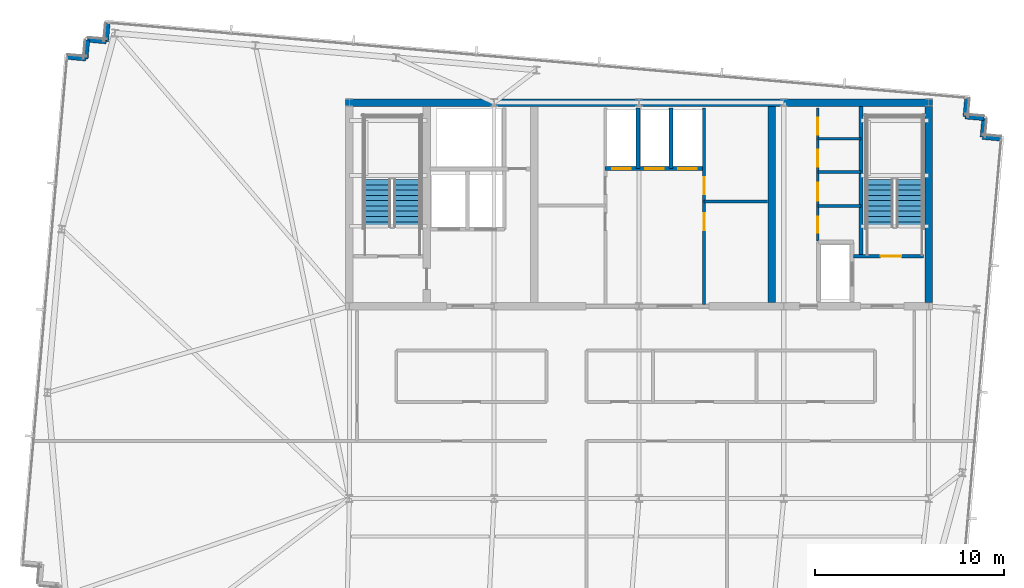
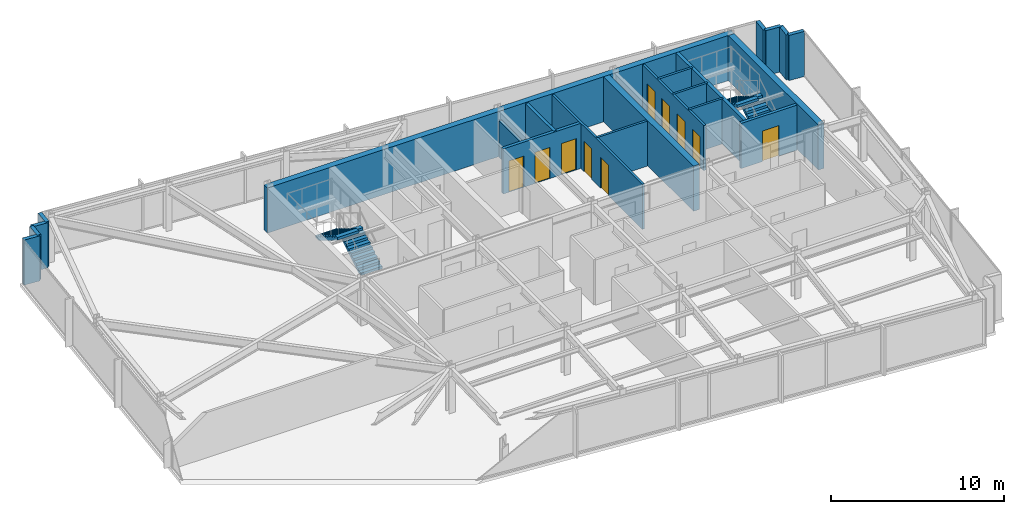
# One storey, part 28 of 32: 22 walls, 10 doors, 4 stair flights, 10 openings, 2 elements without a shape of their own.
"""IFC4 building model written with IfcOpenShell, lengths in metres."""

from ifc_helpers import new_model, si_unit, direction, frame, frame_2d, origin, place, context, subcontext, project, spatial, polyline, rectangle, outline, extrude, material, layer, layer_set, type_object, element, fill, aggregate, save


model = new_model("IFC4")

# Units and contexts
model_context = context("Model", 3, precision=1e-05, world=origin(), true_north=direction((0.0, 1.0)))
body_context = subcontext(model_context, "Body", "Model", "MODEL_VIEW")
ifc_project = project(units=[si_unit("LENGTHUNIT", "METRE"), si_unit("AREAUNIT", "SQUARE_METRE"), si_unit("VOLUMEUNIT", "CUBIC_METRE"), si_unit("PLANEANGLEUNIT", "RADIAN"), si_unit("MASSUNIT", "GRAM", prefix="KILO")], contexts=[model_context])

# Site, building, storey
site_placement = place(None, origin())
site = spatial("IfcSite", under=ifc_project, at=site_placement, CompositionType="ELEMENT")
building_placement = place(site_placement, origin())
building = spatial("IfcBuilding", under=site, at=building_placement, Name="Yelkora Congress Tower", CompositionType="ELEMENT")
storey_placement = place(building_placement, frame((0.0, 0.0, 272.699951171875)))
storey = spatial("IfcBuildingStorey", under=building, at=storey_placement, Name="L76", CompositionType="ELEMENT", Elevation=272.699951171875)

# Walls
ifc_material_1 = material(Name="Concrete C50/60", Category="concrete")
ifc_layer_1 = layer(ifc_material_1, 0.219970703125)
ifc_layer_set_1 = layer_set([ifc_layer_1], Name="Concrete C50/60")
wall_type_1 = type_object("IfcWallType", Name="WALL-CORE-INT-220", PredefinedType="SHEAR", material=ifc_layer_set_1)
wall_1_placement = place(storey_placement, frame((50.179931640625, 38.050048828125, 0.0), z_axis=(0.0, 0.0, 1.0), x_axis=(0.0, 1.0, 0.0)))
element("IfcWall", 1, at=wall_1_placement, inside=storey, type_object=wall_type_1, Name="L76 ST02 West Stair Shear Wall", PredefinedType="SHEAR", context=body_context, shape_type="SweptSolid", body=[
    extrude(rectangle(XDim=7.949951171875, YDim=0.219970703125, at=frame_2d((3.97509765625, 0.0))), origin(), (0.0, 0.0, 1.0), 3.179931640625),
])
ifc_layer_2 = layer(ifc_material_1, 0.39990234375)
ifc_layer_set_2 = layer_set([ifc_layer_2], Name="Concrete C50/60")
wall_type_2 = type_object("IfcWallType", Name="WALL-CORE-INT-400", PredefinedType="SHEAR", material=ifc_layer_set_2)
wall_2_placement = place(storey_placement, frame((22.840087890625, 46.199951171875, 0.0), z_axis=(0.0, 0.0, 1.0), x_axis=(1.0, 0.0, 0.0)))
element("IfcWall", 2, at=wall_2_placement, inside=storey, type_object=wall_type_2, Name="L76 Rear Core North Shear Wall", PredefinedType="SHEAR", context=body_context, shape_type="SweptSolid", body=[
    extrude(rectangle(XDim=31.119873046875, YDim=0.39990234375, at=frame_2d((15.56005859375, 0.0))), origin(), (0.0, 0.0, 1.0), 3.179931640625),
])
for number, where, z_axis, x_axis, name in (
    (3, (45.449951171875, 35.60009765625, 0.0), (0.0, 0.0, 1.0), (0.0, 1.0, 0.0), "L76 Rear Core Cross Shear Wall C3"),
    (4, (53.760009765625, 35.60009765625, 0.0), (0.0, 0.0, 1.0), (0.0, 1.0, 0.0), "L76 Rear Core Cross Shear Wall E"),
):
    element("IfcWall", number, at=place(storey_placement, frame(where, z_axis=z_axis, x_axis=x_axis)), inside=storey, type_object=wall_type_2, Name=name, PredefinedType="SHEAR", context=body_context, shape_type="SweptSolid", body=[
        extrude(rectangle(XDim=10.39990234375, YDim=0.39990234375, at=frame_2d((5.199951171875, 0.0))), origin(), (0.0, 0.0, 1.0), 3.179931640625),
    ])
ifc_material_2 = material(Name="Concrete C40/50", Category="concrete")
ifc_layer_3 = layer(ifc_material_2, 0.239990234375)
ifc_layer_set_3 = layer_set([ifc_layer_3], Name="Concrete C40/50")
wall_type_3 = type_object("IfcWallType", Name="WALL-EXT-LIMESTONE-240", PredefinedType="SOLIDWALL", material=ifc_layer_set_3)
for number, where, z_axis, x_axis, name in (
    (5, (8.0732421875, 48.609619140625, 0.0), (0.0, 0.0, 1.0), (0.996195572005, -0.087145753297, 0.0), "L76 Serrated Corner Limestone Pier 6"),
    (6, (9.069580078125, 48.5224609375, 0.0), (0.0, 0.0, 1.0), (0.087145753297, 0.996195572005, 0.0), "L76 Serrated Corner Limestone Pier 7"),
):
    element("IfcWall", number, at=place(storey_placement, frame(where, z_axis=z_axis, x_axis=x_axis)), inside=storey, type_object=wall_type_3, Name=name, PredefinedType="SOLIDWALL", context=body_context, shape_type="SweptSolid", body=[
        extrude(rectangle(XDim=1.000244140625, YDim=0.239990234375, at=frame_2d((0.5, 0.0))), origin(), (0.0, 0.0, 1.0), 3.179931640625),
    ])
for number, where, z_axis, x_axis, name in (
    (7, (9.15673828125, 49.518798828125, 0.0), (0.0, 0.0, 1.0), (0.996193717496, -0.087166950281, 0.0), "L76 Serrated Corner Limestone Pier 8"),
    (8, (10.15283203125, 49.431640625, 0.0), (0.0, 0.0, 1.0), (0.087166950281, 0.996193717496, 0.0), "L76 Serrated Corner Limestone Pier 9"),
    (9, (55.785888671875, 46.443115234375, 0.0), (0.0, 0.0, 1.0), (-0.086903493655, -0.996216734848, 0.0), "L76 Serrated Corner Limestone Pier 11"),
    (10, (55.698974609375, 45.44677734375, 0.0), (0.0, 0.0, 1.0), (0.996193717496, -0.087166950281, 0.0), "L76 Serrated Corner Limestone Pier 12"),
    (11, (56.695068359375, 45.359619140625, 0.0), (0.0, 0.0, 1.0), (-0.087166950281, -0.996193717496, 0.0), "L76 Serrated Corner Limestone Pier 13"),
    (12, (56.60791015625, 44.363525390625, 0.0), (0.0, 0.0, 1.0), (0.996193717496, -0.087166950281, 0.0), "L76 Serrated Corner Limestone Pier 14"),
):
    element("IfcWall", number, at=place(storey_placement, frame(where, z_axis=z_axis, x_axis=x_axis)), inside=storey, type_object=wall_type_3, Name=name, PredefinedType="SOLIDWALL", context=body_context, shape_type="SweptSolid", body=[
        extrude(rectangle(XDim=1.0, YDim=0.239990234375, at=frame_2d((0.5, 0.0))), origin(), (0.0, 0.0, 1.0), 3.179931640625),
    ])
ifc_material_3 = material(Name="Acoustic metal-stud gypsum partition", Category="gypsum")
ifc_layer_4 = layer(ifc_material_3, 0.14990234375)
ifc_layer_set_4 = layer_set([ifc_layer_4], Name="Acoustic metal-stud gypsum partition")
wall_type_4 = type_object("IfcWallType", Name="WALL-INT-150-NR", PredefinedType="PARTITIONING", material=ifc_layer_set_4)
for number, where, z_axis, x_axis, name in (
    (13, (47.8798828125, 40.719970703125, 0.0), (0.0, 0.0, 1.0), (1.0, 0.0, 0.0), "L76 Partition Wall 20"),
    (14, (47.8798828125, 42.52001953125, 0.0), (0.0, 0.0, 1.0), (1.0, 0.0, 0.0), "L76 Partition Wall 21"),
    (15, (47.8798828125, 44.280029296875, 0.0), (0.0, 0.0, 1.0), (1.0, 0.0, 0.0), "L76 Partition Wall 22"),
):
    element("IfcWall", number, at=place(storey_placement, frame(where, z_axis=z_axis, x_axis=x_axis)), inside=storey, type_object=wall_type_4, Name=name, PredefinedType="PARTITIONING", context=body_context, shape_type="SweptSolid", body=[
        extrude(rectangle(XDim=2.300048828125, YDim=0.14990234375, at=frame_2d((1.14990234375, 0.0))), origin(), (0.0, 0.0, 1.0), 3.179931640625),
    ])

# Wall, openings, doors
wall_3_placement = place(storey_placement, frame((47.8798828125, 38.85009765625, 0.0), z_axis=(0.0, 0.0, 1.0), x_axis=(0.0, 1.0, 0.0)))
wall_3 = element("IfcWall", 16, at=wall_3_placement, inside=storey, type_object=wall_type_4, Name="L76 Partition Wall 23", PredefinedType="PARTITIONING", context=body_context, shape_type="SweptSolid", body=[
    extrude(rectangle(XDim=7.06982421875, YDim=0.14990234375, at=frame_2d((3.534912109375, 0.0))), origin(), (0.0, 0.0, 1.0), 3.179931640625),
])
opening_1_placement = place(wall_3_placement, frame((0.449951171875, 0.0, 0.0)))
opening_1 = element("IfcOpeningElement", 17, at=opening_1_placement, cuts=wall_3, Name="Opening DR-085N", PredefinedType="OPENING", context=body_context, shape_type="SweptSolid", body=[
    extrude(rectangle(XDim=0.85009765625, YDim=2.14990234375, at=frame_2d((0.425048828125, 1.074951171875))), frame((0.0, 0.0849609375, 0.0), z_axis=(0.0, -1.0, 0.0), x_axis=(1.0, 0.0, 0.0)), (0.0, 0.0, 1.0), 0.169921875),
])
opening_2_placement = place(wall_3_placement, frame((2.14990234375, 0.0, 0.0)))
opening_2 = element("IfcOpeningElement", 18, at=opening_2_placement, cuts=wall_3, Name="Opening DR-095N", PredefinedType="OPENING", context=body_context, shape_type="SweptSolid", body=[
    extrude(rectangle(XDim=0.949951171875, YDim=2.14990234375, at=frame_2d((0.47509765625, 1.074951171875))), frame((0.0, 0.0849609375, 0.0), z_axis=(0.0, -1.0, 0.0), x_axis=(1.0, 0.0, 0.0)), (0.0, 0.0, 1.0), 0.169921875),
])
opening_3_placement = place(wall_3_placement, frame((3.949951171875, 0.0, 0.0)))
opening_3 = element("IfcOpeningElement", 19, at=opening_3_placement, cuts=wall_3, Name="Opening DR-090N", PredefinedType="OPENING", context=body_context, shape_type="SweptSolid", body=[
    extrude(rectangle(XDim=0.89990234375, YDim=2.14990234375, at=frame_2d((0.449951171875, 1.074951171875))), frame((0.0, 0.0849609375, 0.0), z_axis=(0.0, -1.0, 0.0), x_axis=(1.0, 0.0, 0.0)), (0.0, 0.0, 1.0), 0.169921875),
])
opening_4_placement = place(wall_3_placement, frame((5.64990234375, 0.0, 0.0)))
opening_4 = element("IfcOpeningElement", 20, at=opening_4_placement, cuts=wall_3, Name="Opening DR-090N", PredefinedType="OPENING", context=body_context, shape_type="SweptSolid", body=[
    extrude(rectangle(XDim=0.89990234375, YDim=2.14990234375, at=frame_2d((0.449951171875, 1.074951171875))), frame((0.0, 0.0849609375, 0.0), z_axis=(0.0, -1.0, 0.0), x_axis=(1.0, 0.0, 0.0)), (0.0, 0.0, 1.0), 0.169921875),
])
ifc_material_4 = material(Name="Laminate service store door leaf", Category="wood")
door_type_1 = type_object("IfcDoorType", Name="DOOR-INT-850", OperationType="NOTDEFINED", PredefinedType="DOOR", material=ifc_material_4)
door_1_placement = place(opening_1_placement, origin())
door_1 = element("IfcDoor", 21, at=door_1_placement, inside=storey, type_object=door_type_1, Name="L76 Janitor Room Door", OperationType="SINGLE_SWING_LEFT", OverallHeight=2.14990234375, OverallWidth=0.85009765625, PredefinedType="DOOR", context=body_context, shape_type="SweptSolid", body=[
    extrude(rectangle(XDim=0.85009765625, YDim=2.14990234375, at=frame_2d((0.425048828125, 1.074951171875))), frame((0.0, 0.02490234375, 0.0), z_axis=(0.0, -1.0, 0.0), x_axis=(1.0, 0.0, 0.0)), (0.0, 0.0, 1.0), 0.050048828125),
])
fill(opening_1, door_1)
ifc_material_5 = material(Name="Moisture-resistant laminate door leaf", Category="wood")
door_type_2 = type_object("IfcDoorType", Name="DOOR-INT-900", OperationType="NOTDEFINED", PredefinedType="DOOR", material=ifc_material_5)
door_2_placement = place(opening_3_placement, origin())
door_2 = element("IfcDoor", 22, at=door_2_placement, inside=storey, type_object=door_type_2, Name="L76 Male WC Door", OperationType="SINGLE_SWING_LEFT", OverallHeight=2.14990234375, OverallWidth=0.89990234375, PredefinedType="DOOR", context=body_context, shape_type="SweptSolid", body=[
    extrude(rectangle(XDim=0.89990234375, YDim=2.14990234375, at=frame_2d((0.449951171875, 1.074951171875))), frame((0.0, 0.02490234375, 0.0), z_axis=(0.0, -1.0, 0.0), x_axis=(1.0, 0.0, 0.0)), (0.0, 0.0, 1.0), 0.050048828125),
])
fill(opening_3, door_2)
door_3_placement = place(opening_4_placement, origin())
door_3 = element("IfcDoor", 23, at=door_3_placement, inside=storey, type_object=door_type_2, Name="L76 Female WC Door", OperationType="SINGLE_SWING_RIGHT", OverallHeight=2.14990234375, OverallWidth=0.89990234375, PredefinedType="DOOR", context=body_context, shape_type="SweptSolid", body=[
    extrude(rectangle(XDim=0.89990234375, YDim=2.14990234375, at=frame_2d((0.449951171875, 1.074951171875))), frame((0.0, 0.02490234375, 0.0), z_axis=(0.0, -1.0, 0.0), x_axis=(1.0, 0.0, 0.0)), (0.0, 0.0, 1.0), 0.050048828125),
])
fill(opening_4, door_3)
ifc_material_6 = material(Name="Acoustic laminated timber office door", Category="wood")
door_type_3 = type_object("IfcDoorType", Name="DOOR-INT-950", OperationType="NOTDEFINED", PredefinedType="DOOR", material=ifc_material_6)
door_4_placement = place(opening_2_placement, origin())
door_4 = element("IfcDoor", 24, at=door_4_placement, inside=storey, type_object=door_type_3, Name="L76 Accessible WC Door", OperationType="SINGLE_SWING_RIGHT", OverallHeight=2.14990234375, OverallWidth=0.949951171875, PredefinedType="DOOR", context=body_context, shape_type="SweptSolid", body=[
    extrude(rectangle(XDim=0.949951171875, YDim=2.14990234375, at=frame_2d((0.47509765625, 1.074951171875))), frame((0.0, 0.02490234375, 0.0), z_axis=(0.0, -1.0, 0.0), x_axis=(1.0, 0.0, 0.0)), (0.0, 0.0, 1.0), 0.050048828125),
])
fill(opening_2, door_4)

# Wall
ifc_material_7 = material(Name="Twin-stud fire-rated gypsum partition", Category="gypsum")
ifc_layer_5 = layer(ifc_material_7, 0.14990234375)
ifc_layer_set_5 = layer_set([ifc_layer_5], Name="Twin-stud fire-rated gypsum partition")
wall_type_5 = type_object("IfcWallType", Name="WALL-INT-150-R60", PredefinedType="PARTITIONING", material=ifc_layer_set_5)
wall_4_placement = place(storey_placement, frame((41.85009765625, 40.949951171875, 0.0), z_axis=(0.0, 0.0, 1.0), x_axis=(1.0, 0.0, 0.0)))
element("IfcWall", 25, at=wall_4_placement, inside=storey, type_object=wall_type_5, Name="L76 Partition Wall 13", PredefinedType="PARTITIONING", context=body_context, shape_type="SweptSolid", body=[
    extrude(rectangle(XDim=3.369873046875, YDim=0.14990234375, at=frame_2d((1.68505859375, 0.0))), origin(), (0.0, 0.0, 1.0), 3.179931640625),
])

# Wall, openings, doors
wall_5_placement = place(storey_placement, frame((41.85009765625, 35.5, 0.0), z_axis=(0.0, 0.0, 1.0), x_axis=(0.0, 1.0, 0.0)))
wall_5 = element("IfcWall", 26, at=wall_5_placement, inside=storey, type_object=wall_type_5, Name="L76 Partition Wall 14", PredefinedType="PARTITIONING", context=body_context, shape_type="SweptSolid", body=[
    extrude(rectangle(XDim=10.419921875, YDim=0.14990234375, at=frame_2d((5.2099609375, 0.0))), origin(), (0.0, 0.0, 1.0), 3.179931640625),
])
opening_5_placement = place(wall_5_placement, frame((3.919921875, 0.0, 0.0)))
opening_5 = element("IfcOpeningElement", 27, at=opening_5_placement, cuts=wall_5, Name="Opening DR-090F6", PredefinedType="OPENING", context=body_context, shape_type="SweptSolid", body=[
    extrude(rectangle(XDim=0.89990234375, YDim=2.14990234375, at=frame_2d((0.449951171875, 1.074951171875))), frame((0.0, 0.0849609375, 0.0), z_axis=(0.0, -1.0, 0.0), x_axis=(1.0, 0.0, 0.0)), (0.0, 0.0, 1.0), 0.169921875),
])
opening_6_placement = place(wall_5_placement, frame((5.85009765625, 0.0, 0.0)))
opening_6 = element("IfcOpeningElement", 28, at=opening_6_placement, cuts=wall_5, Name="Opening DR-090F6", PredefinedType="OPENING", context=body_context, shape_type="SweptSolid", body=[
    extrude(rectangle(XDim=0.89990234375, YDim=2.14990234375, at=frame_2d((0.449951171875, 1.074951171875))), frame((0.0, 0.0849609375, 0.0), z_axis=(0.0, -1.0, 0.0), x_axis=(1.0, 0.0, 0.0)), (0.0, 0.0, 1.0), 0.169921875),
])
ifc_material_8 = material(Name="Painted steel riser fire door leaf", Category="steel")
door_type_4 = type_object("IfcDoorType", Name="DOOR-FD60-900", OperationType="NOTDEFINED", PredefinedType="DOOR", material=ifc_material_8)
door_5_placement = place(opening_5_placement, origin())
door_5 = element("IfcDoor", 29, at=door_5_placement, inside=storey, type_object=door_type_4, Name="L76 High-Zone BMS Door", OperationType="SINGLE_SWING_RIGHT", OverallHeight=2.14990234375, OverallWidth=0.89990234375, PredefinedType="DOOR", context=body_context, shape_type="SweptSolid", body=[
    extrude(rectangle(XDim=0.89990234375, YDim=2.14990234375, at=frame_2d((0.449951171875, 1.074951171875))), frame((0.0, 0.02490234375, 0.0), z_axis=(0.0, -1.0, 0.0), x_axis=(1.0, 0.0, 0.0)), (0.0, 0.0, 1.0), 0.050048828125),
])
fill(opening_5, door_5)
door_6_placement = place(opening_6_placement, origin())
door_6 = element("IfcDoor", 30, at=door_6_placement, inside=storey, type_object=door_type_4, Name="L76 Linen Store Door", OperationType="SINGLE_SWING_LEFT", OverallHeight=2.14990234375, OverallWidth=0.89990234375, PredefinedType="DOOR", context=body_context, shape_type="SweptSolid", body=[
    extrude(rectangle(XDim=0.89990234375, YDim=2.14990234375, at=frame_2d((0.449951171875, 1.074951171875))), frame((0.0, 0.02490234375, 0.0), z_axis=(0.0, -1.0, 0.0), x_axis=(1.0, 0.0, 0.0)), (0.0, 0.0, 1.0), 0.050048828125),
])
fill(opening_6, door_6)

ifc_material_9 = material(Name="Autoclaved aerated concrete blockwork", Category="masonry")
ifc_layer_6 = layer(ifc_material_9, 0.199951171875)
ifc_layer_set_6 = layer_set([ifc_layer_6], Name="Autoclaved aerated concrete blockwork")
wall_type_6 = type_object("IfcWallType", Name="WALL-INT-200-R120", PredefinedType="PARTITIONING", material=ifc_layer_set_6)
wall_6_placement = place(storey_placement, frame((36.60009765625, 42.699951171875, 0.0), z_axis=(0.0, 0.0, 1.0), x_axis=(1.0, 0.0, 0.0)))
wall_6 = element("IfcWall", 31, at=wall_6_placement, inside=storey, type_object=wall_type_6, Name="L76 Partition Wall 8", PredefinedType="PARTITIONING", context=body_context, shape_type="SweptSolid", body=[
    extrude(rectangle(XDim=5.25, YDim=0.199951171875, at=frame_2d((2.625, 0.0))), origin(), (0.0, 0.0, 1.0), 3.179931640625),
])
opening_7_placement = place(wall_6_placement, frame((0.375, 0.0, 0.0)))
opening_7 = element("IfcOpeningElement", 32, at=opening_7_placement, cuts=wall_6, Name="Opening LD-PS10", PredefinedType="OPENING", context=body_context, shape_type="SweptSolid", body=[
    extrude(rectangle(XDim=1.0, YDim=2.199951171875, at=frame_2d((0.5, 1.10009765625))), frame((0.0, 0.10986328125, 0.0), z_axis=(0.0, -1.0, 0.0), x_axis=(1.0, 0.0, 0.0)), (0.0, 0.0, 1.0), 0.219970703125),
])
opening_8_placement = place(wall_6_placement, frame((2.125, 0.0, 0.0)))
opening_8 = element("IfcOpeningElement", 33, at=opening_8_placement, cuts=wall_6, Name="Opening LD-PS10", PredefinedType="OPENING", context=body_context, shape_type="SweptSolid", body=[
    extrude(rectangle(XDim=1.0, YDim=2.199951171875, at=frame_2d((0.5, 1.10009765625))), frame((0.0, 0.10986328125, 0.0), z_axis=(0.0, -1.0, 0.0), x_axis=(1.0, 0.0, 0.0)), (0.0, 0.0, 1.0), 0.219970703125),
])
opening_9_placement = place(wall_6_placement, frame((3.875, 0.0, 0.0)))
opening_9 = element("IfcOpeningElement", 34, at=opening_9_placement, cuts=wall_6, Name="Opening LD-PS10", PredefinedType="OPENING", context=body_context, shape_type="SweptSolid", body=[
    extrude(rectangle(XDim=1.0, YDim=2.199951171875, at=frame_2d((0.5, 1.10009765625))), frame((0.0, 0.10986328125, 0.0), z_axis=(0.0, -1.0, 0.0), x_axis=(1.0, 0.0, 0.0)), (0.0, 0.0, 1.0), 0.219970703125),
])
ifc_material_10 = material(Name="Champagne stainless steel landing door", Category="steel")
door_type_5 = type_object("IfcDoorType", Name="DOOR-LIFT-PAS-1000", OperationType="DOUBLE_DOOR_SLIDING", PredefinedType="DOOR", material=ifc_material_10)
door_7_placement = place(opening_7_placement, origin())
door_7 = element("IfcDoor", 35, at=door_7_placement, inside=storey, type_object=door_type_5, Name="Lift Landing Door LF-P9 L76", OperationType="DOUBLE_DOOR_SLIDING", OverallHeight=2.199951171875, OverallWidth=1.0, PredefinedType="DOOR", context=body_context, shape_type="SweptSolid", body=[
    extrude(rectangle(XDim=1.0, YDim=2.199951171875, at=frame_2d((0.5, 1.10009765625))), frame((0.0, 0.02490234375, 0.0), z_axis=(0.0, -1.0, 0.0), x_axis=(1.0, 0.0, 0.0)), (0.0, 0.0, 1.0), 0.050048828125),
])
fill(opening_7, door_7)
door_8_placement = place(opening_8_placement, origin())
door_8 = element("IfcDoor", 36, at=door_8_placement, inside=storey, type_object=door_type_5, Name="Lift Landing Door LF-P10 L76", OperationType="DOUBLE_DOOR_SLIDING", OverallHeight=2.199951171875, OverallWidth=1.0, PredefinedType="DOOR", context=body_context, shape_type="SweptSolid", body=[
    extrude(rectangle(XDim=1.0, YDim=2.199951171875, at=frame_2d((0.5, 1.10009765625))), frame((0.0, 0.02490234375, 0.0), z_axis=(0.0, -1.0, 0.0), x_axis=(1.0, 0.0, 0.0)), (0.0, 0.0, 1.0), 0.050048828125),
])
fill(opening_8, door_8)
door_9_placement = place(opening_9_placement, origin())
door_9 = element("IfcDoor", 37, at=door_9_placement, inside=storey, type_object=door_type_5, Name="Lift Landing Door LF-P11 L76", OperationType="DOUBLE_DOOR_SLIDING", OverallHeight=2.199951171875, OverallWidth=1.0, PredefinedType="DOOR", context=body_context, shape_type="SweptSolid", body=[
    extrude(rectangle(XDim=1.0, YDim=2.199951171875, at=frame_2d((0.5, 1.10009765625))), frame((0.0, 0.02490234375, 0.0), z_axis=(0.0, -1.0, 0.0), x_axis=(1.0, 0.0, 0.0)), (0.0, 0.0, 1.0), 0.050048828125),
])
fill(opening_9, door_9)

# Walls
wall_7_placement = place(storey_placement, frame((38.35009765625, 42.699951171875, 0.0), z_axis=(0.0, 0.0, 1.0), x_axis=(0.0, 1.0, 0.0)))
element("IfcWall", 38, at=wall_7_placement, inside=storey, type_object=wall_type_6, Name="L76 Partition Wall 9", PredefinedType="PARTITIONING", context=body_context, shape_type="SweptSolid", body=[
    extrude(rectangle(XDim=3.219970703125, YDim=0.199951171875, at=frame_2d((1.60986328125, 0.0))), origin(), (0.0, 0.0, 1.0), 2.574951171875),
])
wall_8_placement = place(storey_placement, frame((40.10009765625, 42.699951171875, 0.0), z_axis=(0.0, 0.0, 1.0), x_axis=(0.0, 1.0, 0.0)))
element("IfcWall", 39, at=wall_8_placement, inside=storey, type_object=wall_type_6, Name="L76 Partition Wall 10", PredefinedType="PARTITIONING", context=body_context, shape_type="SweptSolid", body=[
    extrude(rectangle(XDim=3.219970703125, YDim=0.199951171875, at=frame_2d((1.60986328125, 0.0))), origin(), (0.0, 0.0, 1.0), 3.179931640625),
])

# Wall, opening, door
wall_9_placement = place(storey_placement, frame((49.780029296875, 38.050048828125, 0.0), z_axis=(0.0, 0.0, 1.0), x_axis=(1.0, 0.0, 0.0)))
wall_9 = element("IfcWall", 40, at=wall_9_placement, inside=storey, type_object=wall_type_6, Name="L76 Stair ST-02 Enclosure Wall", PredefinedType="PARTITIONING", context=body_context, shape_type="SweptSolid", body=[
    extrude(rectangle(XDim=3.719970703125, YDim=0.199951171875, at=frame_2d((1.85986328125, 0.0))), origin(), (0.0, 0.0, 1.0), 3.179931640625),
])
opening_10_placement = place(wall_9_placement, frame((1.436279296875, 0.0, 0.0)))
opening_10 = element("IfcOpeningElement", 41, at=opening_10_placement, cuts=wall_9, Name="Opening DR-110F9", PredefinedType="OPENING", context=body_context, shape_type="SweptSolid", body=[
    extrude(rectangle(XDim=1.10009765625, YDim=2.14990234375, at=frame_2d((0.550048828125, 1.074951171875))), frame((0.0, 0.10986328125, 0.0), z_axis=(0.0, -1.0, 0.0), x_axis=(1.0, 0.0, 0.0)), (0.0, 0.0, 1.0), 0.219970703125),
])
ifc_material_11 = material(Name="Galvanised steel fire door leaf", Category="steel")
door_type_6 = type_object("IfcDoorType", Name="DOOR-FD90-1100", OperationType="NOTDEFINED", PredefinedType="DOOR", material=ifc_material_11)
door_10_placement = place(opening_10_placement, origin())
door_10 = element("IfcDoor", 42, at=door_10_placement, inside=storey, type_object=door_type_6, Name="L76 Stair ST-02 Entry Door", OperationType="SINGLE_SWING_RIGHT", OverallHeight=2.14990234375, OverallWidth=1.10009765625, PredefinedType="DOOR", context=body_context, shape_type="SweptSolid", body=[
    extrude(rectangle(XDim=1.10009765625, YDim=2.14990234375, at=frame_2d((0.550048828125, 1.074951171875))), frame((0.0, 0.02490234375, 0.0), z_axis=(0.0, -1.0, 0.0), x_axis=(1.0, 0.0, 0.0)), (0.0, 0.0, 1.0), 0.050048828125),
])
fill(opening_10, door_10)

# Stair, stair flights
stair_type = type_object("IfcStairType", Name="STAIR-HT-1420-R20-170", PredefinedType="HALF_TURN_STAIR", material=ifc_material_2)
stair_1_placement = place(storey_placement, origin())
stair_1 = element("IfcStair", 43, at=stair_1_placement, inside=storey, type_object=stair_type, Name="West Core Protected Exit Stair ST-01 (L76)", PredefinedType="HALF_TURN_STAIR")
stair_flight_type = type_object("IfcStairFlightType", Name="FLIGHT-1420-N10-R170-G280", PredefinedType="STRAIGHT", material=ifc_material_2)
stair_flight_1_placement = place(storey_placement, frame((26.110107421875, 39.60009765625, 0.0), z_axis=(0.0, 0.0, 1.0), x_axis=(0.0, 1.0, 0.0)))
stair_flight_1 = element("IfcStairFlight", 44, at=stair_flight_1_placement, type_object=stair_flight_type, Name="ST-01 L76 Flight 1", NumberOfRisers=10, NumberOfTreads=9, PredefinedType="STRAIGHT", RiserHeight=0.17, TreadLength=0.28, context=body_context, shape_type="SweptSolid", body=[
    extrude(outline(polyline([(0.0, 0.0), (0.0, 0.169921875), (0.280029296875, 0.169921875), (0.280029296875, 0.340087890625), (0.56005859375, 0.340087890625), (0.56005859375, 0.510009765625), (0.840087890625, 0.510009765625), (0.840087890625, 0.679931640625), (1.1201171875, 0.679931640625), (1.1201171875, 0.85009765625), (1.39990234375, 0.85009765625), (1.39990234375, 1.02001953125), (1.679931640625, 1.02001953125), (1.679931640625, 1.18994140625), (1.9599609375, 1.18994140625), (1.9599609375, 1.360107421875), (2.239990234375, 1.360107421875), (2.239990234375, 1.530029296875), (2.52001953125, 1.530029296875), (2.52001953125, 1.699951171875), (2.52001953125, 1.343017578125), (0.30810546875, 0.0), (0.0, 0.0)])), frame((0.0, 0.7099609375, 0.0), z_axis=(0.0, -1.0, 0.0), x_axis=(1.0, 0.0, 0.0)), (0.0, 0.0, 1.0), 1.419921875),
])
stair_flight_2_placement = place(storey_placement, frame((24.530029296875, 42.1201171875, 1.699951171875), z_axis=(0.0, 0.0, 1.0), x_axis=(0.0, -1.0, 0.0)))
stair_flight_2 = element("IfcStairFlight", 45, at=stair_flight_2_placement, type_object=stair_flight_type, Name="ST-01 L76 Flight 2", NumberOfRisers=10, NumberOfTreads=9, PredefinedType="STRAIGHT", RiserHeight=0.17, TreadLength=0.28, context=body_context, shape_type="SweptSolid", body=[
    extrude(outline(polyline([(0.0, 0.0), (0.0, 0.169921875), (0.280029296875, 0.169921875), (0.280029296875, 0.340087890625), (0.56005859375, 0.340087890625), (0.56005859375, 0.510009765625), (0.840087890625, 0.510009765625), (0.840087890625, 0.679931640625), (1.1201171875, 0.679931640625), (1.1201171875, 0.85009765625), (1.39990234375, 0.85009765625), (1.39990234375, 1.02001953125), (1.679931640625, 1.02001953125), (1.679931640625, 1.18994140625), (1.9599609375, 1.18994140625), (1.9599609375, 1.360107421875), (2.239990234375, 1.360107421875), (2.239990234375, 1.530029296875), (2.52001953125, 1.530029296875), (2.52001953125, 1.699951171875), (2.52001953125, 1.343017578125), (0.30810546875, 0.0), (0.0, 0.0)])), frame((0.0, 0.7099609375, 0.0), z_axis=(0.0, -1.0, 0.0), x_axis=(1.0, 0.0, 0.0)), (0.0, 0.0, 1.0), 1.419921875),
])
aggregate(stair_1, [stair_flight_1, stair_flight_2])

stair_2_placement = place(storey_placement, origin())
stair_2 = element("IfcStair", 46, at=stair_2_placement, inside=storey, type_object=stair_type, Name="East Core Protected Exit Stair ST-02 (L76)", PredefinedType="HALF_TURN_STAIR")
stair_flight_3_placement = place(storey_placement, frame((52.75, 39.60009765625, 0.0), z_axis=(0.0, 0.0, 1.0), x_axis=(0.0, 1.0, 0.0)))
stair_flight_3 = element("IfcStairFlight", 47, at=stair_flight_3_placement, type_object=stair_flight_type, Name="ST-02 L76 Flight 1", NumberOfRisers=10, NumberOfTreads=9, PredefinedType="STRAIGHT", RiserHeight=0.17, TreadLength=0.28, context=body_context, shape_type="SweptSolid", body=[
    extrude(outline(polyline([(0.0, 0.0), (0.0, 0.169921875), (0.280029296875, 0.169921875), (0.280029296875, 0.340087890625), (0.56005859375, 0.340087890625), (0.56005859375, 0.510009765625), (0.840087890625, 0.510009765625), (0.840087890625, 0.679931640625), (1.1201171875, 0.679931640625), (1.1201171875, 0.85009765625), (1.39990234375, 0.85009765625), (1.39990234375, 1.02001953125), (1.679931640625, 1.02001953125), (1.679931640625, 1.18994140625), (1.9599609375, 1.18994140625), (1.9599609375, 1.360107421875), (2.239990234375, 1.360107421875), (2.239990234375, 1.530029296875), (2.52001953125, 1.530029296875), (2.52001953125, 1.699951171875), (2.52001953125, 1.343017578125), (0.30810546875, 0.0), (0.0, 0.0)])), frame((0.0, 0.7099609375, 0.0), z_axis=(0.0, -1.0, 0.0), x_axis=(1.0, 0.0, 0.0)), (0.0, 0.0, 1.0), 1.419921875),
])
stair_flight_4_placement = place(storey_placement, frame((51.169921875, 42.1201171875, 1.699951171875), z_axis=(0.0, 0.0, 1.0), x_axis=(0.0, -1.0, 0.0)))
stair_flight_4 = element("IfcStairFlight", 48, at=stair_flight_4_placement, type_object=stair_flight_type, Name="ST-02 L76 Flight 2", NumberOfRisers=10, NumberOfTreads=9, PredefinedType="STRAIGHT", RiserHeight=0.17, TreadLength=0.28, context=body_context, shape_type="SweptSolid", body=[
    extrude(outline(polyline([(0.0, 0.0), (0.0, 0.169921875), (0.280029296875, 0.169921875), (0.280029296875, 0.340087890625), (0.56005859375, 0.340087890625), (0.56005859375, 0.510009765625), (0.840087890625, 0.510009765625), (0.840087890625, 0.679931640625), (1.1201171875, 0.679931640625), (1.1201171875, 0.85009765625), (1.39990234375, 0.85009765625), (1.39990234375, 1.02001953125), (1.679931640625, 1.02001953125), (1.679931640625, 1.18994140625), (1.9599609375, 1.18994140625), (1.9599609375, 1.360107421875), (2.239990234375, 1.360107421875), (2.239990234375, 1.530029296875), (2.52001953125, 1.530029296875), (2.52001953125, 1.699951171875), (2.52001953125, 1.343017578125), (0.30810546875, 0.0), (0.0, 0.0)])), frame((0.0, 0.7099609375, 0.0), z_axis=(0.0, -1.0, 0.0), x_axis=(1.0, 0.0, 0.0)), (0.0, 0.0, 1.0), 1.419921875),
])
aggregate(stair_2, [stair_flight_3, stair_flight_4])

save(model, "model.ifc")
